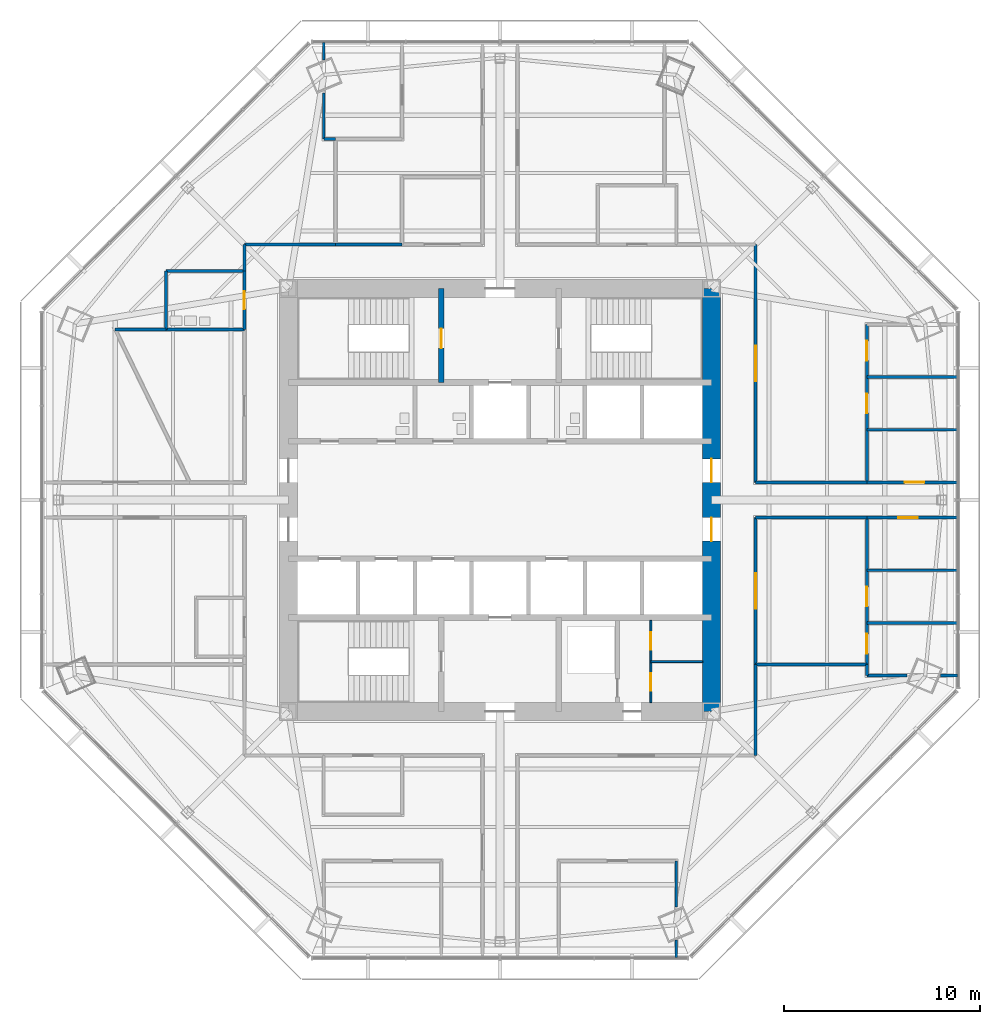
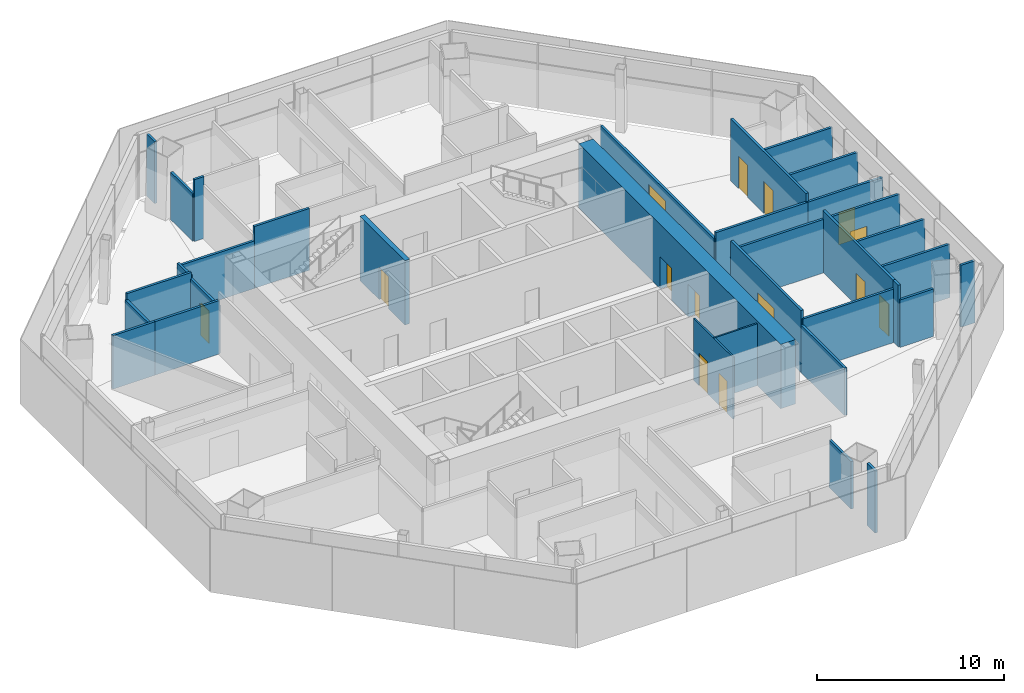
# One storey, part 10 of 15: 34 walls, 14 doors, 14 openings.
"""IFC4 building model written with IfcOpenShell, lengths in metres."""

from ifc_helpers import new_model, si_unit, direction, frame, frame_2d, origin, place, context, subcontext, project, spatial, rectangle, extrude, material, layer, layer_set, type_object, element, fill, save


model = new_model("IFC4")

# Units and contexts
model_context = context("Model", 3, precision=1e-05, world=origin(), true_north=direction((0.0, 1.0)))
body_context = subcontext(model_context, "Body", "Model", "MODEL_VIEW")
ifc_project = project(units=[si_unit("LENGTHUNIT", "METRE"), si_unit("AREAUNIT", "SQUARE_METRE"), si_unit("VOLUMEUNIT", "CUBIC_METRE"), si_unit("PLANEANGLEUNIT", "RADIAN"), si_unit("MASSUNIT", "GRAM", prefix="KILO")], contexts=[model_context])

# Site, building, storey
site_placement = place(None, origin())
site = spatial("IfcSite", under=ifc_project, at=site_placement, CompositionType="ELEMENT")
building_placement = place(site_placement, origin())
building = spatial("IfcBuilding", under=site, at=building_placement, Name="Mashrafa Tower", CompositionType="ELEMENT")
storey_placement = place(building_placement, frame((0.0, 0.0, 163.800048828125)))
storey = spatial("IfcBuildingStorey", under=building, at=storey_placement, Name="L37", CompositionType="ELEMENT", Elevation=163.800048828125)

# Wall, opening, door
ifc_material_1 = material(Name="Concrete C60/75", Category="concrete")
ifc_layer_1 = layer(ifc_material_1, 0.300048828125)
ifc_layer_set_1 = layer_set([ifc_layer_1], Name="Core wall 300 C60/75")
wall_type_1 = type_object("IfcWallType", Name="Core wall 300 C60/75", PredefinedType="SOLIDWALL", material=ifc_layer_set_1)
wall_1_placement = place(storey_placement, frame((-3.0, 6.0, 0.0), z_axis=(0.0, 0.0, 1.0), x_axis=(0.0, 1.0, 0.0)))
wall_1 = element("IfcWall", 1, at=wall_1_placement, inside=storey, type_object=wall_type_1, Name="Core wall CX-NW L37", PredefinedType="SOLIDWALL", context=body_context, shape_type="SweptSolid", body=[
    extrude(rectangle(XDim=4.800048828125, YDim=0.300048828125, at=frame_2d((2.39990234375, 0.0))), origin(), (0.0, 0.0, 1.0), 4.199951171875),
])
opening_1_placement = place(wall_1_placement, frame((1.75, 0.0, 0.0)))
opening_1 = element("IfcOpeningElement", 2, at=opening_1_placement, cuts=wall_1, Name="Opening 37.030", PredefinedType="OPENING", context=body_context, shape_type="SweptSolid", body=[
    extrude(rectangle(XDim=1.0, YDim=2.10009765625, at=frame_2d((0.5, 1.050048828125))), frame((0.0, 0.159912109375, 0.0), z_axis=(0.0, -1.0, 0.0), x_axis=(1.0, 0.0, 0.0)), (0.0, 0.0, 1.0), 0.320068359375),
])
ifc_material_2 = material(Name="Steel door", Category="steel")
door_type_1 = type_object("IfcDoorType", Name="Stair door 1000 x 2100 90 min", OperationType="USERDEFINED", PredefinedType="DOOR", material=ifc_material_2)
door_1_placement = place(opening_1_placement, origin())
door_1 = element("IfcDoor", 3, at=door_1_placement, inside=storey, type_object=door_type_1, Name="Stair S1 door L37", OperationType="SINGLE_SWING_LEFT", OverallHeight=2.10009765625, OverallWidth=1.0, PredefinedType="DOOR", context=body_context, shape_type="SweptSolid", body=[
    extrude(rectangle(XDim=1.0, YDim=2.10009765625, at=frame_2d((0.5, 1.050048828125))), frame((0.0, 0.02490234375, 0.0), z_axis=(0.0, -1.0, 0.0), x_axis=(1.0, 0.0, 0.0)), (0.0, 0.0, 1.0), 0.050048828125),
])
fill(opening_1, door_1)

# Wall, openings, doors
ifc_material_3 = material(Name="Concrete C60/75", Category="concrete")
ifc_layer_2 = layer(ifc_material_3, 0.89990234375)
ifc_layer_set_2 = layer_set([ifc_layer_2], Name="Core wall 900 C60/75")
wall_type_2 = type_object("IfcWallType", Name="Core wall 900 C60/75", PredefinedType="SOLIDWALL", material=ifc_layer_set_2)
wall_2_placement = place(storey_placement, frame((10.800048828125, -10.800048828125, 0.0), z_axis=(0.0, 0.0, 1.0), x_axis=(0.0, 1.0, 0.0)))
wall_2 = element("IfcWall", 4, at=wall_2_placement, inside=storey, type_object=wall_type_2, Name="Core wall CW-E L37", PredefinedType="SOLIDWALL", context=body_context, shape_type="SweptSolid", body=[
    extrude(rectangle(XDim=21.60009765625, YDim=0.89990234375, at=frame_2d((10.800048828125, 0.0))), origin(), (0.0, 0.0, 1.0), 4.199951171875),
])
opening_2_placement = place(wall_2_placement, frame((11.699951171875, 0.0, 0.0)))
opening_2 = element("IfcOpeningElement", 5, at=opening_2_placement, cuts=wall_2, Name="Opening 37.024", PredefinedType="OPENING", context=body_context, shape_type="SweptSolid", body=[
    extrude(rectangle(XDim=1.199951171875, YDim=2.10009765625, at=frame_2d((0.60009765625, 1.050048828125))), frame((0.0, 0.4599609375, 0.0), z_axis=(0.0, -1.0, 0.0), x_axis=(1.0, 0.0, 0.0)), (0.0, 0.0, 1.0), 0.919921875),
])
opening_3_placement = place(wall_2_placement, frame((8.699951171875, 0.0, 0.0)))
opening_3 = element("IfcOpeningElement", 6, at=opening_3_placement, cuts=wall_2, Name="Opening 37.026", PredefinedType="OPENING", context=body_context, shape_type="SweptSolid", body=[
    extrude(rectangle(XDim=1.199951171875, YDim=2.10009765625, at=frame_2d((0.60009765625, 1.050048828125))), frame((0.0, 0.4599609375, 0.0), z_axis=(0.0, -1.0, 0.0), x_axis=(1.0, 0.0, 0.0)), (0.0, 0.0, 1.0), 0.919921875),
])
ifc_material_4 = material(Name="Steel door", Category="steel")
door_type_2 = type_object("IfcDoorType", Name="Lift hall door 1200 x 2100 90 min", OperationType="USERDEFINED", PredefinedType="DOOR", material=ifc_material_4)
door_2_placement = place(opening_2_placement, frame((1.199951171875, 0.0, 0.0), z_axis=(0.0, 0.0, 1.0), x_axis=(-1.0, 0.0, 0.0)))
door_2 = element("IfcDoor", 7, at=door_2_placement, inside=storey, type_object=door_type_2, Name="Lift hall door east L37", OperationType="SINGLE_SWING_LEFT", OverallHeight=2.10009765625, OverallWidth=1.199951171875, PredefinedType="DOOR", context=body_context, shape_type="SweptSolid", body=[
    extrude(rectangle(XDim=1.199951171875, YDim=2.10009765625, at=frame_2d((0.60009765625, 1.050048828125))), frame((0.0, 0.02490234375, 0.0), z_axis=(0.0, -1.0, 0.0), x_axis=(1.0, 0.0, 0.0)), (0.0, 0.0, 1.0), 0.050048828125),
])
fill(opening_2, door_2)
door_3_placement = place(opening_3_placement, frame((1.199951171875, 0.0, 0.0), z_axis=(0.0, 0.0, 1.0), x_axis=(-1.0, 0.0, 0.0)))
door_3 = element("IfcDoor", 8, at=door_3_placement, inside=storey, type_object=door_type_2, Name="Lift hall door east L37", OperationType="SINGLE_SWING_RIGHT", OverallHeight=2.10009765625, OverallWidth=1.199951171875, PredefinedType="DOOR", context=body_context, shape_type="SweptSolid", body=[
    extrude(rectangle(XDim=1.199951171875, YDim=2.10009765625, at=frame_2d((0.60009765625, 1.050048828125))), frame((0.0, 0.02490234375, 0.0), z_axis=(0.0, -1.0, 0.0), x_axis=(1.0, 0.0, 0.0)), (0.0, 0.0, 1.0), 0.050048828125),
])
fill(opening_3, door_3)

# Wall, opening, door
ifc_material_5 = material(Name="Gypsum board on steel studs", Category="steel")
ifc_layer_3 = layer(ifc_material_5, 0.14990234375)
ifc_layer_set_3 = layer_set([ifc_layer_3], Name="Corridor partition 150 1 hr")
wall_type_3 = type_object("IfcWallType", Name="Corridor partition 150 1 hr", PredefinedType="PARTITIONING", material=ifc_layer_set_3)
wall_3_placement = place(storey_placement, frame((-13.050048828125, 11.700927734375, 0.0), z_axis=(0.0, 0.0, 1.0), x_axis=(0.0, -1.0, 0.0)))
wall_3 = element("IfcWall", 9, at=wall_3_placement, inside=storey, type_object=wall_type_3, Name="Corridor wall L37-003", PredefinedType="PARTITIONING", context=body_context, shape_type="SweptSolid", body=[
    extrude(rectangle(XDim=3.001953125, YDim=0.14990234375, at=frame_2d((1.5009765625, 0.0))), origin(), (0.0, 0.0, 1.0), 3.097900390625),
])
opening_4_placement = place(wall_3_placement, frame((1.051025390625, 0.0, 0.0)))
opening_4 = element("IfcOpeningElement", 10, at=opening_4_placement, cuts=wall_3, Name="Opening 37.002", PredefinedType="OPENING", context=body_context, shape_type="SweptSolid", body=[
    extrude(rectangle(XDim=0.89990234375, YDim=2.10009765625, at=frame_2d((0.449951171875, 1.050048828125))), frame((0.0, 0.0849609375, 0.0), z_axis=(0.0, -1.0, 0.0), x_axis=(1.0, 0.0, 0.0)), (0.0, 0.0, 1.0), 0.169921875),
])
ifc_material_6 = material(Name="Timber door", Category="wood")
door_type_3 = type_object("IfcDoorType", Name="Toilet door 900 x 2100", OperationType="USERDEFINED", PredefinedType="DOOR", material=ifc_material_6)
door_4_placement = place(opening_4_placement, frame((0.89990234375, 0.0, 0.0), z_axis=(0.0, 0.0, 1.0), x_axis=(-1.0, 0.0, 0.0)))
door_4 = element("IfcDoor", 11, at=door_4_placement, inside=storey, type_object=door_type_3, Name="Ablution Room L37 door", OperationType="SINGLE_SWING_RIGHT", OverallHeight=2.10009765625, OverallWidth=0.89990234375, PredefinedType="DOOR", context=body_context, shape_type="SweptSolid", body=[
    extrude(rectangle(XDim=0.89990234375, YDim=2.10009765625, at=frame_2d((0.449951171875, 1.050048828125))), frame((0.0, 0.02490234375, 0.0), z_axis=(0.0, -1.0, 0.0), x_axis=(1.0, 0.0, 0.0)), (0.0, 0.0, 1.0), 0.050048828125),
])
fill(opening_4, door_4)

wall_4_placement = place(storey_placement, frame((18.72998046875, -0.89990234375, 0.0), z_axis=(0.0, 0.0, 1.0), x_axis=(1.0, 0.0, 0.0)))
wall_4 = element("IfcWall", 12, at=wall_4_placement, inside=storey, type_object=wall_type_3, Name="Corridor wall L37-009", PredefinedType="PARTITIONING", context=body_context, shape_type="SweptSolid", body=[
    extrude(rectangle(XDim=4.635009765625, YDim=0.14990234375, at=frame_2d((2.3173828125, 0.0))), origin(), (0.0, 0.0, 1.0), 3.491455078125),
])
opening_5_placement = place(wall_4_placement, frame((1.6005859375, 0.0, 0.0)))
opening_5 = element("IfcOpeningElement", 13, at=opening_5_placement, cuts=wall_4, Name="Opening 37.010", PredefinedType="OPENING", context=body_context, shape_type="SweptSolid", body=[
    extrude(rectangle(XDim=1.0, YDim=2.10009765625, at=frame_2d((0.5, 1.050048828125))), frame((0.0, 0.0849609375, 0.0), z_axis=(0.0, -1.0, 0.0), x_axis=(1.0, 0.0, 0.0)), (0.0, 0.0, 1.0), 0.169921875),
])
ifc_material_7 = material(Name="Timber door", Category="wood")
door_type_4 = type_object("IfcDoorType", Name="Door 1000 x 2100", OperationType="USERDEFINED", PredefinedType="DOOR", material=ifc_material_7)
door_5_placement = place(opening_5_placement, frame((1.0, 0.0, 0.0), z_axis=(0.0, 0.0, 1.0), x_axis=(-1.0, 0.0, 0.0)))
door_5 = element("IfcDoor", 14, at=door_5_placement, inside=storey, type_object=door_type_4, Name="Office 37-1-3 door", OperationType="SINGLE_SWING_RIGHT", OverallHeight=2.10009765625, OverallWidth=1.0, PredefinedType="DOOR", context=body_context, shape_type="SweptSolid", body=[
    extrude(rectangle(XDim=1.0, YDim=2.10009765625, at=frame_2d((0.5, 1.050048828125))), frame((0.0, 0.02490234375, 0.0), z_axis=(0.0, -1.0, 0.0), x_axis=(1.0, 0.0, 0.0)), (0.0, 0.0, 1.0), 0.050048828125),
])
fill(opening_5, door_5)

wall_5_placement = place(storey_placement, frame((23.364990234375, 0.89990234375, 0.0), z_axis=(0.0, 0.0, 1.0), x_axis=(-1.0, 0.0, 0.0)))
wall_5 = element("IfcWall", 15, at=wall_5_placement, inside=storey, type_object=wall_type_3, Name="Corridor wall L37-010", PredefinedType="PARTITIONING", context=body_context, shape_type="SweptSolid", body=[
    extrude(rectangle(XDim=4.635009765625, YDim=0.14990234375, at=frame_2d((2.3173828125, 0.0))), origin(), (0.0, 0.0, 1.0), 3.491455078125),
])
opening_6_placement = place(wall_5_placement, frame((1.699462890625, 0.0, 0.0)))
opening_6 = element("IfcOpeningElement", 16, at=opening_6_placement, cuts=wall_5, Name="Opening 37.011", PredefinedType="OPENING", context=body_context, shape_type="SweptSolid", body=[
    extrude(rectangle(XDim=1.0, YDim=2.10009765625, at=frame_2d((0.5, 1.050048828125))), frame((0.0, 0.0849609375, 0.0), z_axis=(0.0, -1.0, 0.0), x_axis=(1.0, 0.0, 0.0)), (0.0, 0.0, 1.0), 0.169921875),
])
door_6_placement = place(opening_6_placement, frame((1.0, 0.0, 0.0), z_axis=(0.0, 0.0, 1.0), x_axis=(-1.0, 0.0, 0.0)))
door_6 = element("IfcDoor", 17, at=door_6_placement, inside=storey, type_object=door_type_4, Name="Office 37-2-1 door", OperationType="SINGLE_SWING_RIGHT", OverallHeight=2.10009765625, OverallWidth=1.0, PredefinedType="DOOR", context=body_context, shape_type="SweptSolid", body=[
    extrude(rectangle(XDim=1.0, YDim=2.10009765625, at=frame_2d((0.5, 1.050048828125))), frame((0.0, 0.02490234375, 0.0), z_axis=(0.0, -1.0, 0.0), x_axis=(1.0, 0.0, 0.0)), (0.0, 0.0, 1.0), 0.050048828125),
])
fill(opening_6, door_6)

# Wall
wall_6_placement = place(storey_placement, frame((18.73193359375, 0.89990234375, 0.0), z_axis=(0.0, 0.0, 1.0), x_axis=(-1.0, 0.0, 0.0)))
element("IfcWall", 18, at=wall_6_placement, inside=storey, type_object=wall_type_3, Name="Corridor wall L37-011", PredefinedType="PARTITIONING", context=body_context, shape_type="SweptSolid", body=[
    extrude(rectangle(XDim=5.681884765625, YDim=0.14990234375, at=frame_2d((2.8408203125, 0.0))), origin(), (0.0, 0.0, 1.0), 3.491455078125),
])

# Wall, opening, door
wall_7_placement = place(storey_placement, frame((13.050048828125, 0.89990234375, 0.0), z_axis=(0.0, 0.0, 1.0), x_axis=(0.0, 1.0, 0.0)))
wall_7 = element("IfcWall", 19, at=wall_7_placement, inside=storey, type_object=wall_type_3, Name="Corridor wall L37-012", PredefinedType="PARTITIONING", context=body_context, shape_type="SweptSolid", body=[
    extrude(rectangle(XDim=12.150146484375, YDim=0.14990234375, at=frame_2d((6.0751953125, 0.0))), origin(), (0.0, 0.0, 1.0), 3.097900390625),
])
opening_7_placement = place(wall_7_placement, frame((5.175048828125, 0.0, 0.0)))
opening_7 = element("IfcOpeningElement", 20, at=opening_7_placement, cuts=wall_7, Name="Opening 37.016", PredefinedType="OPENING", context=body_context, shape_type="SweptSolid", body=[
    extrude(rectangle(XDim=1.800048828125, YDim=2.39990234375, at=frame_2d((0.89990234375, 1.199951171875))), frame((0.0, 0.0849609375, 0.0), z_axis=(0.0, -1.0, 0.0), x_axis=(1.0, 0.0, 0.0)), (0.0, 0.0, 1.0), 0.169921875),
])
ifc_material_8 = material(Name="Timber door", Category="wood")
door_type_5 = type_object("IfcDoorType", Name="Door pair 1800 x 2400", OperationType="DOUBLE_DOOR_SINGLE_SWING", PredefinedType="DOOR", material=ifc_material_8)
door_7_placement = place(opening_7_placement, frame((1.800048828125, 0.0, 0.0), z_axis=(0.0, 0.0, 1.0), x_axis=(-1.0, 0.0, 0.0)))
door_7 = element("IfcDoor", 21, at=door_7_placement, inside=storey, type_object=door_type_5, Name="Office Tenancy 37-1-NE1 door", OperationType="DOUBLE_DOOR_SINGLE_SWING", OverallHeight=2.39990234375, OverallWidth=1.800048828125, PredefinedType="DOOR", context=body_context, shape_type="SweptSolid", body=[
    extrude(rectangle(XDim=1.800048828125, YDim=2.39990234375, at=frame_2d((0.89990234375, 1.199951171875))), frame((0.0, 0.02490234375, 0.0), z_axis=(0.0, -1.0, 0.0), x_axis=(1.0, 0.0, 0.0)), (0.0, 0.0, 1.0), 0.050048828125),
])
fill(opening_7, door_7)

# Walls
wall_8_placement = place(storey_placement, frame((-8.39892578125, 13.050048828125, 0.0), z_axis=(0.0, 0.0, 1.0), x_axis=(-1.0, 0.0, 0.0)))
element("IfcWall", 22, at=wall_8_placement, inside=storey, type_object=wall_type_3, Name="Corridor wall L37-017", PredefinedType="PARTITIONING", context=body_context, shape_type="SweptSolid", body=[
    extrude(rectangle(XDim=4.651123046875, YDim=0.14990234375, at=frame_2d((2.32568359375, 0.0))), origin(), (0.0, 0.0, 1.0), 3.097900390625),
])
wall_9_placement = place(storey_placement, frame((-13.050048828125, 13.050048828125, 0.0), z_axis=(0.0, 0.0, 1.0), x_axis=(0.0, -1.0, 0.0)))
element("IfcWall", 23, at=wall_9_placement, inside=storey, type_object=wall_type_3, Name="Corridor wall L37-018", PredefinedType="PARTITIONING", context=body_context, shape_type="SweptSolid", body=[
    extrude(rectangle(XDim=1.35107421875, YDim=0.14990234375, at=frame_2d((0.675537109375, 0.0))), origin(), (0.0, 0.0, 1.0), 3.2705078125),
])
wall_10_placement = place(storey_placement, frame((-4.9990234375, 13.050048828125, 0.0), z_axis=(0.0, 0.0, 1.0), x_axis=(-1.0, 0.0, 0.0)))
element("IfcWall", 24, at=wall_10_placement, inside=storey, type_object=wall_type_3, Name="Corridor wall L37-019", PredefinedType="PARTITIONING", context=body_context, shape_type="SweptSolid", body=[
    extrude(rectangle(XDim=3.40185546875, YDim=0.14990234375, at=frame_2d((1.700927734375, 0.0))), origin(), (0.0, 0.0, 1.0), 4.034912109375),
])
wall_11_placement = place(storey_placement, frame((13.050048828125, -13.050048828125, 0.0), z_axis=(0.0, 0.0, 1.0), x_axis=(0.0, 1.0, 0.0)))
element("IfcWall", 25, at=wall_11_placement, inside=storey, type_object=wall_type_3, Name="Corridor wall L37-030", PredefinedType="PARTITIONING", context=body_context, shape_type="SweptSolid", body=[
    extrude(rectangle(XDim=4.651123046875, YDim=0.14990234375, at=frame_2d((2.32568359375, 0.0))), origin(), (0.0, 0.0, 1.0), 3.097900390625),
])

# Wall, opening, door
wall_12_placement = place(storey_placement, frame((13.050048828125, -8.40087890625, 0.0), z_axis=(0.0, 0.0, 1.0), x_axis=(0.0, 1.0, 0.0)))
wall_12 = element("IfcWall", 26, at=wall_12_placement, inside=storey, type_object=wall_type_3, Name="Corridor wall L37-031", PredefinedType="PARTITIONING", context=body_context, shape_type="SweptSolid", body=[
    extrude(rectangle(XDim=7.5009765625, YDim=0.14990234375, at=frame_2d((3.75048828125, 0.0))), origin(), (0.0, 0.0, 1.0), 4.034912109375),
])
opening_8_placement = place(wall_12_placement, frame((2.8505859375, 0.0, 0.0)))
opening_8 = element("IfcOpeningElement", 27, at=opening_8_placement, cuts=wall_12, Name="Opening 37.023", PredefinedType="OPENING", context=body_context, shape_type="SweptSolid", body=[
    extrude(rectangle(XDim=1.800048828125, YDim=2.39990234375, at=frame_2d((0.89990234375, 1.199951171875))), frame((0.0, 0.0849609375, 0.0), z_axis=(0.0, -1.0, 0.0), x_axis=(1.0, 0.0, 0.0)), (0.0, 0.0, 1.0), 0.169921875),
])
door_8_placement = place(opening_8_placement, frame((1.800048828125, 0.0, 0.0), z_axis=(0.0, 0.0, 1.0), x_axis=(-1.0, 0.0, 0.0)))
door_8 = element("IfcDoor", 28, at=door_8_placement, inside=storey, type_object=door_type_5, Name="Office Tenancy 37-2-SE2 door", OperationType="DOUBLE_DOOR_SINGLE_SWING", OverallHeight=2.39990234375, OverallWidth=1.800048828125, PredefinedType="DOOR", context=body_context, shape_type="SweptSolid", body=[
    extrude(rectangle(XDim=1.800048828125, YDim=2.39990234375, at=frame_2d((0.89990234375, 1.199951171875))), frame((0.0, 0.02490234375, 0.0), z_axis=(0.0, -1.0, 0.0), x_axis=(1.0, 0.0, 0.0)), (0.0, 0.0, 1.0), 0.050048828125),
])
fill(opening_8, door_8)

# Wall
wall_13_placement = place(storey_placement, frame((13.050048828125, -0.89990234375, 0.0), z_axis=(0.0, 0.0, 1.0), x_axis=(1.0, 0.0, 0.0)))
element("IfcWall", 29, at=wall_13_placement, inside=storey, type_object=wall_type_3, Name="Corridor wall L37-032", PredefinedType="PARTITIONING", context=body_context, shape_type="SweptSolid", body=[
    extrude(rectangle(XDim=5.681884765625, YDim=0.14990234375, at=frame_2d((2.8408203125, 0.0))), origin(), (0.0, 0.0, 1.0), 3.491455078125),
])

# Wall, openings, doors
ifc_material_9 = material(Name="Gypsum board on steel studs", Category="steel")
ifc_layer_4 = layer(ifc_material_9, 0.10009765625)
ifc_layer_set_4 = layer_set([ifc_layer_4], Name="Partition 100 1 hr")
wall_type_4 = type_object("IfcWallType", Name="Partition 100 1 hr", PredefinedType="PARTITIONING", material=ifc_layer_set_4)
wall_14_placement = place(storey_placement, frame((7.699951171875, -10.35009765625, 0.0), z_axis=(0.0, 0.0, 1.0), x_axis=(0.0, 1.0, 0.0)))
wall_14 = element("IfcWall", 30, at=wall_14_placement, inside=storey, type_object=wall_type_4, Name="Services lobby partition A L37", PredefinedType="PARTITIONING", context=body_context, shape_type="SweptSolid", body=[
    extrude(rectangle(XDim=4.2001953125, YDim=0.10009765625, at=frame_2d((2.10009765625, 0.0))), origin(), (0.0, 0.0, 1.0), 4.034912109375),
])
opening_9_placement = place(wall_14_placement, frame((2.699951171875, 0.0, 0.0)))
opening_9 = element("IfcOpeningElement", 31, at=opening_9_placement, cuts=wall_14, Name="Opening 37.035", PredefinedType="OPENING", context=body_context, shape_type="SweptSolid", body=[
    extrude(rectangle(XDim=0.89990234375, YDim=2.10009765625, at=frame_2d((0.449951171875, 1.050048828125))), frame((0.0, 0.06005859375, 0.0), z_axis=(0.0, -1.0, 0.0), x_axis=(1.0, 0.0, 0.0)), (0.0, 0.0, 1.0), 0.1201171875),
])
opening_10_placement = place(wall_14_placement, frame((0.60009765625, 0.0, 0.0)))
opening_10 = element("IfcOpeningElement", 32, at=opening_10_placement, cuts=wall_14, Name="Opening 37.036", PredefinedType="OPENING", context=body_context, shape_type="SweptSolid", body=[
    extrude(rectangle(XDim=0.89990234375, YDim=2.10009765625, at=frame_2d((0.449951171875, 1.050048828125))), frame((0.0, 0.06005859375, 0.0), z_axis=(0.0, -1.0, 0.0), x_axis=(1.0, 0.0, 0.0)), (0.0, 0.0, 1.0), 0.1201171875),
])
ifc_material_10 = material(Name="Timber door", Category="wood")
door_type_6 = type_object("IfcDoorType", Name="Store door 900 x 2100", OperationType="USERDEFINED", PredefinedType="DOOR", material=ifc_material_10)
door_9_placement = place(opening_9_placement, frame((0.89990234375, 0.0, 0.0), z_axis=(0.0, 0.0, 1.0), x_axis=(-1.0, 0.0, 0.0)))
door_9 = element("IfcDoor", 33, at=door_9_placement, inside=storey, type_object=door_type_6, Name="Tenant Store L37 door", OperationType="SINGLE_SWING_RIGHT", OverallHeight=2.10009765625, OverallWidth=0.89990234375, PredefinedType="DOOR", context=body_context, shape_type="SweptSolid", body=[
    extrude(rectangle(XDim=0.89990234375, YDim=2.10009765625, at=frame_2d((0.449951171875, 1.050048828125))), frame((0.0, 0.02490234375, 0.0), z_axis=(0.0, -1.0, 0.0), x_axis=(1.0, 0.0, 0.0)), (0.0, 0.0, 1.0), 0.050048828125),
])
fill(opening_9, door_9)
door_10_placement = place(opening_10_placement, frame((0.89990234375, 0.0, 0.0), z_axis=(0.0, 0.0, 1.0), x_axis=(-1.0, 0.0, 0.0)))
door_10 = element("IfcDoor", 34, at=door_10_placement, inside=storey, type_object=door_type_6, Name="Cleaner's Store L37 door", OperationType="SINGLE_SWING_LEFT", OverallHeight=2.10009765625, OverallWidth=0.89990234375, PredefinedType="DOOR", context=body_context, shape_type="SweptSolid", body=[
    extrude(rectangle(XDim=0.89990234375, YDim=2.10009765625, at=frame_2d((0.449951171875, 1.050048828125))), frame((0.0, 0.02490234375, 0.0), z_axis=(0.0, -1.0, 0.0), x_axis=(1.0, 0.0, 0.0)), (0.0, 0.0, 1.0), 0.050048828125),
])
fill(opening_10, door_10)

# Walls
wall_15_placement = place(storey_placement, frame((7.699951171875, -8.25, 0.0), z_axis=(0.0, 0.0, 1.0), x_axis=(1.0, 0.0, 0.0)))
element("IfcWall", 35, at=wall_15_placement, inside=storey, type_object=wall_type_4, Name="Services lobby partition B L37", PredefinedType="PARTITIONING", context=body_context, shape_type="SweptSolid", body=[
    extrude(rectangle(XDim=2.650146484375, YDim=0.10009765625, at=frame_2d((1.3251953125, 0.0))), origin(), (0.0, 0.0, 1.0), 4.034912109375),
])
ifc_material_11 = material(Name="Gypsum board on steel studs", Category="steel")
ifc_layer_5 = layer(ifc_material_11, 0.14990234375)
ifc_layer_set_5 = layer_set([ifc_layer_5], Name="Partition 150")
wall_type_5 = type_object("IfcWallType", Name="Partition 150", PredefinedType="PARTITIONING", material=ifc_layer_set_5)
wall_16_placement = place(storey_placement, frame((-13.050048828125, 8.699951171875, 0.0), z_axis=(0.0, 0.0, 1.0), x_axis=(-1.0, 0.0, 0.0)))
element("IfcWall", 36, at=wall_16_placement, inside=storey, type_object=wall_type_5, Name="Partition wall L37-033", PredefinedType="PARTITIONING", context=body_context, shape_type="SweptSolid", body=[
    extrude(rectangle(XDim=4.0009765625, YDim=0.14990234375, at=frame_2d((2.00048828125, 0.0))), origin(), (0.0, 0.0, 1.0), 3.491455078125),
])
wall_17_placement = place(storey_placement, frame((-17.049072265625, 8.699951171875, 0.0), z_axis=(0.0, 0.0, 1.0), x_axis=(-1.0, 0.0, 0.0)))
element("IfcWall", 37, at=wall_17_placement, inside=storey, type_object=wall_type_5, Name="Partition wall L37-034", PredefinedType="PARTITIONING", context=body_context, shape_type="SweptSolid", body=[
    extrude(rectangle(XDim=2.600830078125, YDim=0.14990234375, at=frame_2d((1.30029296875, 0.0))), origin(), (0.0, 0.0, 1.0), 3.491455078125),
])
wall_18_placement = place(storey_placement, frame((-13.050048828125, 11.699951171875, 0.0), z_axis=(0.0, 0.0, 1.0), x_axis=(-1.0, 0.0, 0.0)))
element("IfcWall", 38, at=wall_18_placement, inside=storey, type_object=wall_type_5, Name="Partition wall L37-036", PredefinedType="PARTITIONING", context=body_context, shape_type="SweptSolid", body=[
    extrude(rectangle(XDim=4.0, YDim=0.14990234375, at=frame_2d((2.0, 0.0))), origin(), (0.0, 0.0, 1.0), 3.499267578125),
])
wall_19_placement = place(storey_placement, frame((-17.050048828125, 11.699951171875, 0.0), z_axis=(0.0, 0.0, 1.0), x_axis=(0.0, -1.0, 0.0)))
element("IfcWall", 39, at=wall_19_placement, inside=storey, type_object=wall_type_5, Name="Partition wall L37-037", PredefinedType="PARTITIONING", context=body_context, shape_type="SweptSolid", body=[
    extrude(rectangle(XDim=3.0, YDim=0.14990234375, at=frame_2d((1.5, 0.0))), origin(), (0.0, 0.0, 1.0), 3.097900390625),
])
wall_20_placement = place(storey_placement, frame((-9.0, 23.363037109375, 0.0), z_axis=(0.0, 0.0, 1.0), x_axis=(0.0, -1.0, 0.0)))
element("IfcWall", 40, at=wall_20_placement, inside=storey, type_object=wall_type_5, Name="Partition wall L37-040", PredefinedType="PARTITIONING", context=body_context, shape_type="SweptSolid", body=[
    extrude(rectangle(XDim=0.885986328125, YDim=0.14990234375, at=frame_2d((0.44287109375, 0.0))), origin(), (0.0, 0.0, 1.0), 4.034912109375),
])
wall_21_placement = place(storey_placement, frame((-9.0, 20.78076171875, 0.0), z_axis=(0.0, 0.0, 1.0), x_axis=(0.0, -1.0, 0.0)))
element("IfcWall", 41, at=wall_21_placement, inside=storey, type_object=wall_type_5, Name="Partition wall L37-041", PredefinedType="PARTITIONING", context=body_context, shape_type="SweptSolid", body=[
    extrude(rectangle(XDim=2.349853515625, YDim=0.14990234375, at=frame_2d((1.1748046875, 0.0))), origin(), (0.0, 0.0, 1.0), 3.097900390625),
])
wall_22_placement = place(storey_placement, frame((-9.0, 18.430908203125, 0.0), z_axis=(0.0, 0.0, 1.0), x_axis=(1.0, 0.0, 0.0)))
element("IfcWall", 42, at=wall_22_placement, inside=storey, type_object=wall_type_5, Name="Partition wall L37-042", PredefinedType="PARTITIONING", context=body_context, shape_type="SweptSolid", body=[
    extrude(rectangle(XDim=0.60107421875, YDim=0.14990234375, at=frame_2d((0.300537109375, 0.0))), origin(), (0.0, 0.0, 1.0), 4.034912109375),
])
wall_23_placement = place(storey_placement, frame((23.363037109375, -6.277099609375, 0.0), z_axis=(0.0, 0.0, 1.0), x_axis=(-1.0, 0.0, 0.0)))
element("IfcWall", 43, at=wall_23_placement, inside=storey, type_object=wall_type_5, Name="Partition wall L37-055", PredefinedType="PARTITIONING", context=body_context, shape_type="SweptSolid", body=[
    extrude(rectangle(XDim=4.632080078125, YDim=0.14990234375, at=frame_2d((2.31591796875, 0.0))), origin(), (0.0, 0.0, 1.0), 3.491455078125),
])
wall_24_placement = place(storey_placement, frame((18.73095703125, -8.39892578125, 0.0), z_axis=(0.0, 0.0, 1.0), x_axis=(0.0, -1.0, 0.0)))
element("IfcWall", 44, at=wall_24_placement, inside=storey, type_object=wall_type_5, Name="Partition wall L37-056", PredefinedType="PARTITIONING", context=body_context, shape_type="SweptSolid", body=[
    extrude(rectangle(XDim=0.566162109375, YDim=0.14990234375, at=frame_2d((0.283203125, 0.0))), origin(), (0.0, 0.0, 1.0), 4.034912109375),
])
wall_25_placement = place(storey_placement, frame((18.73095703125, -8.965087890625, 0.0), z_axis=(0.0, 0.0, 1.0), x_axis=(1.0, 0.0, 0.0)))
element("IfcWall", 45, at=wall_25_placement, inside=storey, type_object=wall_type_5, Name="Partition wall L37-057", PredefinedType="PARTITIONING", context=body_context, shape_type="SweptSolid", body=[
    extrude(rectangle(XDim=2.064208984375, YDim=0.14990234375, at=frame_2d((1.0322265625, 0.0))), origin(), (0.0, 0.0, 1.0), 3.097900390625),
])
wall_26_placement = place(storey_placement, frame((22.49169921875, -8.965087890625, 0.0), z_axis=(0.0, 0.0, 1.0), x_axis=(1.0, 0.0, 0.0)))
element("IfcWall", 46, at=wall_26_placement, inside=storey, type_object=wall_type_5, Name="Partition wall L37-058", PredefinedType="PARTITIONING", context=body_context, shape_type="SweptSolid", body=[
    extrude(rectangle(XDim=0.871337890625, YDim=0.14990234375, at=frame_2d((0.435546875, 0.0))), origin(), (0.0, 0.0, 1.0), 4.034912109375),
])

# Wall, openings, doors
wall_27_placement = place(storey_placement, frame((18.73095703125, -8.40087890625, 0.0), z_axis=(0.0, 0.0, 1.0), x_axis=(0.0, 1.0, 0.0)))
wall_27 = element("IfcWall", 47, at=wall_27_placement, inside=storey, type_object=wall_type_5, Name="Partition wall L37-059", PredefinedType="PARTITIONING", context=body_context, shape_type="SweptSolid", body=[
    extrude(rectangle(XDim=7.5009765625, YDim=0.14990234375, at=frame_2d((3.75048828125, 0.0))), origin(), (0.0, 0.0, 1.0), 4.034912109375),
])
opening_11_placement = place(wall_27_placement, frame((0.56201171875, 0.0, 0.0)))
opening_11 = element("IfcOpeningElement", 48, at=opening_11_placement, cuts=wall_27, Name="Opening 37.008", PredefinedType="OPENING", context=body_context, shape_type="SweptSolid", body=[
    extrude(rectangle(XDim=1.0, YDim=2.10009765625, at=frame_2d((0.5, 1.050048828125))), frame((0.0, 0.0849609375, 0.0), z_axis=(0.0, -1.0, 0.0), x_axis=(1.0, 0.0, 0.0)), (0.0, 0.0, 1.0), 0.169921875),
])
opening_12_placement = place(wall_27_placement, frame((2.968505859375, 0.0, 0.0)))
opening_12 = element("IfcOpeningElement", 49, at=opening_12_placement, cuts=wall_27, Name="Opening 37.009", PredefinedType="OPENING", context=body_context, shape_type="SweptSolid", body=[
    extrude(rectangle(XDim=1.0, YDim=2.10009765625, at=frame_2d((0.5, 1.050048828125))), frame((0.0, 0.0849609375, 0.0), z_axis=(0.0, -1.0, 0.0), x_axis=(1.0, 0.0, 0.0)), (0.0, 0.0, 1.0), 0.169921875),
])
door_11_placement = place(opening_11_placement, frame((1.0, 0.0, 0.0), z_axis=(0.0, 0.0, 1.0), x_axis=(-1.0, 0.0, 0.0)))
door_11 = element("IfcDoor", 50, at=door_11_placement, inside=storey, type_object=door_type_4, Name="Office 37-2-SE2-1 door", OperationType="SINGLE_SWING_LEFT", OverallHeight=2.10009765625, OverallWidth=1.0, PredefinedType="DOOR", context=body_context, shape_type="SweptSolid", body=[
    extrude(rectangle(XDim=1.0, YDim=2.10009765625, at=frame_2d((0.5, 1.050048828125))), frame((0.0, 0.02490234375, 0.0), z_axis=(0.0, -1.0, 0.0), x_axis=(1.0, 0.0, 0.0)), (0.0, 0.0, 1.0), 0.050048828125),
])
fill(opening_11, door_11)
door_12_placement = place(opening_12_placement, frame((1.0, 0.0, 0.0), z_axis=(0.0, 0.0, 1.0), x_axis=(-1.0, 0.0, 0.0)))
door_12 = element("IfcDoor", 51, at=door_12_placement, inside=storey, type_object=door_type_4, Name="Office 37-2-SE2-2 door", OperationType="SINGLE_SWING_LEFT", OverallHeight=2.10009765625, OverallWidth=1.0, PredefinedType="DOOR", context=body_context, shape_type="SweptSolid", body=[
    extrude(rectangle(XDim=1.0, YDim=2.10009765625, at=frame_2d((0.5, 1.050048828125))), frame((0.0, 0.02490234375, 0.0), z_axis=(0.0, -1.0, 0.0), x_axis=(1.0, 0.0, 0.0)), (0.0, 0.0, 1.0), 0.050048828125),
])
fill(opening_12, door_12)

# Walls
for number, where, z_axis, x_axis, name in (
    (52, (23.363037109375, -3.587890625, 0.0), (0.0, 0.0, 1.0), (-1.0, 0.0, 0.0), "Partition wall L37-060"),
    (53, (23.363037109375, 3.587890625, 0.0), (0.0, 0.0, 1.0), (-1.0, 0.0, 0.0), "Partition wall L37-063"),
):
    element("IfcWall", number, at=place(storey_placement, frame(where, z_axis=z_axis, x_axis=x_axis)), inside=storey, type_object=wall_type_5, Name=name, PredefinedType="PARTITIONING", context=body_context, shape_type="SweptSolid", body=[
        extrude(rectangle(XDim=4.632080078125, YDim=0.14990234375, at=frame_2d((2.31591796875, 0.0))), origin(), (0.0, 0.0, 1.0), 3.491455078125),
    ])

# Wall, openings, doors
wall_28_placement = place(storey_placement, frame((18.73095703125, 0.89990234375, 0.0), z_axis=(0.0, 0.0, 1.0), x_axis=(0.0, 1.0, 0.0)))
wall_28 = element("IfcWall", 54, at=wall_28_placement, inside=storey, type_object=wall_type_5, Name="Partition wall L37-064", PredefinedType="PARTITIONING", context=body_context, shape_type="SweptSolid", body=[
    extrude(rectangle(XDim=8.065185546875, YDim=0.14990234375, at=frame_2d((4.03271484375, 0.0))), origin(), (0.0, 0.0, 1.0), 4.034912109375),
])
opening_13_placement = place(wall_28_placement, frame((3.532470703125, 0.0, 0.0)))
opening_13 = element("IfcOpeningElement", 55, at=opening_13_placement, cuts=wall_28, Name="Opening 37.012", PredefinedType="OPENING", context=body_context, shape_type="SweptSolid", body=[
    extrude(rectangle(XDim=1.0, YDim=2.10009765625, at=frame_2d((0.5, 1.050048828125))), frame((0.0, 0.0849609375, 0.0), z_axis=(0.0, -1.0, 0.0), x_axis=(1.0, 0.0, 0.0)), (0.0, 0.0, 1.0), 0.169921875),
])
opening_14_placement = place(wall_28_placement, frame((6.220947265625, 0.0, 0.0)))
opening_14 = element("IfcOpeningElement", 56, at=opening_14_placement, cuts=wall_28, Name="Opening 37.013", PredefinedType="OPENING", context=body_context, shape_type="SweptSolid", body=[
    extrude(rectangle(XDim=1.0, YDim=2.10009765625, at=frame_2d((0.5, 1.050048828125))), frame((0.0, 0.0849609375, 0.0), z_axis=(0.0, -1.0, 0.0), x_axis=(1.0, 0.0, 0.0)), (0.0, 0.0, 1.0), 0.169921875),
])
door_13_placement = place(opening_13_placement, frame((1.0, 0.0, 0.0), z_axis=(0.0, 0.0, 1.0), x_axis=(-1.0, 0.0, 0.0)))
door_13 = element("IfcDoor", 57, at=door_13_placement, inside=storey, type_object=door_type_4, Name="Office 37-1-NE1-1 door", OperationType="SINGLE_SWING_RIGHT", OverallHeight=2.10009765625, OverallWidth=1.0, PredefinedType="DOOR", context=body_context, shape_type="SweptSolid", body=[
    extrude(rectangle(XDim=1.0, YDim=2.10009765625, at=frame_2d((0.5, 1.050048828125))), frame((0.0, 0.02490234375, 0.0), z_axis=(0.0, -1.0, 0.0), x_axis=(1.0, 0.0, 0.0)), (0.0, 0.0, 1.0), 0.050048828125),
])
fill(opening_13, door_13)
door_14_placement = place(opening_14_placement, frame((1.0, 0.0, 0.0), z_axis=(0.0, 0.0, 1.0), x_axis=(-1.0, 0.0, 0.0)))
door_14 = element("IfcDoor", 58, at=door_14_placement, inside=storey, type_object=door_type_4, Name="Office 37-1-NE1-2 door", OperationType="SINGLE_SWING_RIGHT", OverallHeight=2.10009765625, OverallWidth=1.0, PredefinedType="DOOR", context=body_context, shape_type="SweptSolid", body=[
    extrude(rectangle(XDim=1.0, YDim=2.10009765625, at=frame_2d((0.5, 1.050048828125))), frame((0.0, 0.02490234375, 0.0), z_axis=(0.0, -1.0, 0.0), x_axis=(1.0, 0.0, 0.0)), (0.0, 0.0, 1.0), 0.050048828125),
])
fill(opening_14, door_14)

# Walls
wall_29_placement = place(storey_placement, frame((23.363037109375, 6.277099609375, 0.0), z_axis=(0.0, 0.0, 1.0), x_axis=(-1.0, 0.0, 0.0)))
element("IfcWall", 59, at=wall_29_placement, inside=storey, type_object=wall_type_5, Name="Partition wall L37-065", PredefinedType="PARTITIONING", context=body_context, shape_type="SweptSolid", body=[
    extrude(rectangle(XDim=4.632080078125, YDim=0.14990234375, at=frame_2d((2.31591796875, 0.0))), origin(), (0.0, 0.0, 1.0), 3.491455078125),
])
wall_30_placement = place(storey_placement, frame((9.0, -23.363037109375, 0.0), z_axis=(0.0, 0.0, 1.0), x_axis=(0.0, 1.0, 0.0)))
element("IfcWall", 60, at=wall_30_placement, inside=storey, type_object=wall_type_5, Name="Partition wall L37-074", PredefinedType="PARTITIONING", context=body_context, shape_type="SweptSolid", body=[
    extrude(rectangle(XDim=0.885986328125, YDim=0.14990234375, at=frame_2d((0.44287109375, 0.0))), origin(), (0.0, 0.0, 1.0), 4.034912109375),
])
wall_31_placement = place(storey_placement, frame((9.0, -20.78076171875, 0.0), z_axis=(0.0, 0.0, 1.0), x_axis=(0.0, 1.0, 0.0)))
element("IfcWall", 61, at=wall_31_placement, inside=storey, type_object=wall_type_5, Name="Partition wall L37-075", PredefinedType="PARTITIONING", context=body_context, shape_type="SweptSolid", body=[
    extrude(rectangle(XDim=2.349853515625, YDim=0.14990234375, at=frame_2d((1.1748046875, 0.0))), origin(), (0.0, 0.0, 1.0), 3.097900390625),
])
wall_32_placement = place(storey_placement, frame((18.73095703125, -8.39990234375, 0.0), z_axis=(0.0, 0.0, 1.0), x_axis=(-1.0, 0.0, 0.0)))
element("IfcWall", 62, at=wall_32_placement, inside=storey, type_object=wall_type_5, Name="Partition wall L37-083", PredefinedType="PARTITIONING", context=body_context, shape_type="SweptSolid", body=[
    extrude(rectangle(XDim=5.680908203125, YDim=0.14990234375, at=frame_2d((2.84033203125, 0.0))), origin(), (0.0, 0.0, 1.0), 3.491455078125),
])

save(model, "model.ifc")
